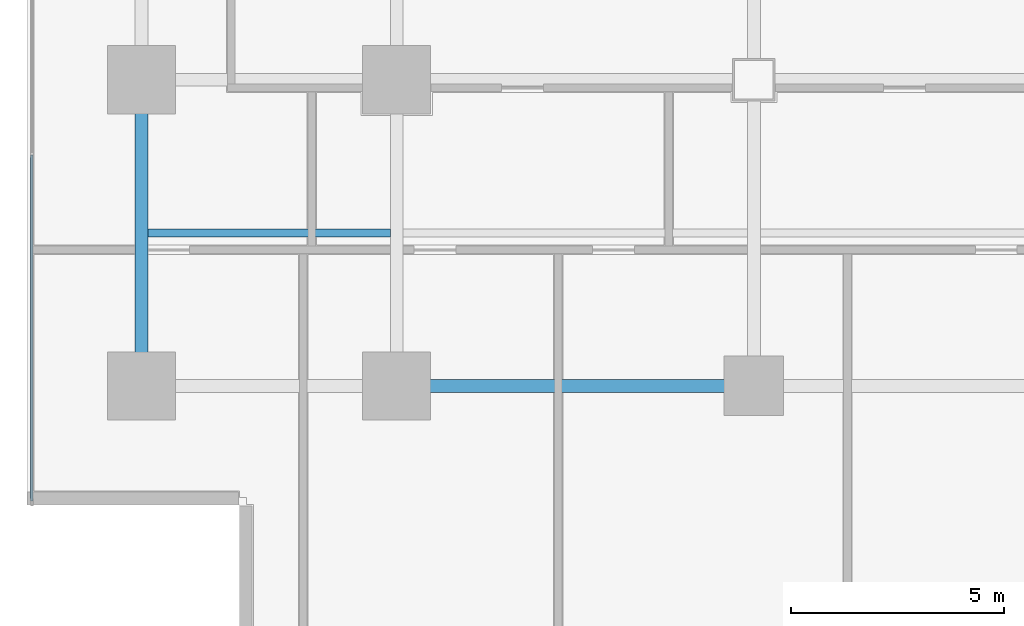
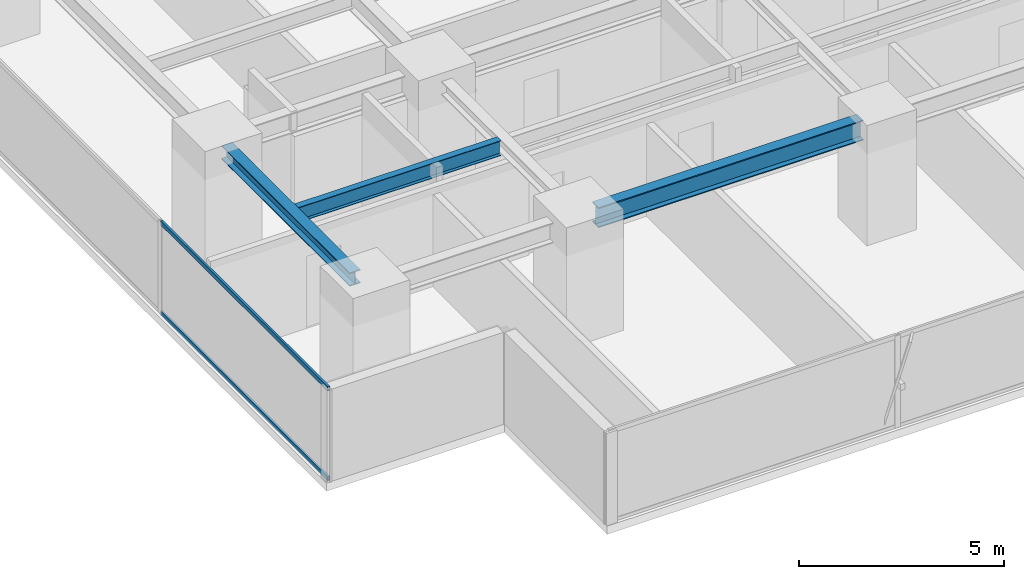
# One storey, part 3 of 36: 3 beams, 2 members, 1 element without a shape of its own.
"""IFC4 building model written with IfcOpenShell, lengths in metres."""

import ifcopenshell
import ifcopenshell.guid

model = None  # the IFC model being written
_history = None  # IfcOwnerHistory: only IFC2X3 demands one
_inside = {}  # id of a spatial element -> (the spatial element, [elements in it])
_under = {}  # id of a project, library or spatial element -> (it, [spatial elements below it])
_declared = {}  # id of a project -> (the project, [libraries it declares])
_typed = {}  # id of a type object -> (the type object, [elements of that type])
_made_of = {}  # id of a material, layer set ... -> (it, [elements and type objects made of it])


def new_model(schema):
    """Start an empty IFC model of exactly this schema.

    Asked for "IFC4X3", IfcOpenShell would pick the latest addendum, in which some entities
    have other attributes; the version numbers below select the first issue.
    IFC2X3 requires an IfcOwnerHistory on every rooted entity: one is made here for all.
    """
    global model, _history
    if schema == "IFC4X3":
        model = ifcopenshell.file(schema_version=(4, 3, 0, 0))
    else:
        model = ifcopenshell.file(schema=schema)
    _inside.clear()
    _under.clear()
    _declared.clear()
    _typed.clear()
    _made_of.clear()
    _history = None
    if model.schema == "IFC2X3":
        org = make("IfcOrganization", Name="unknown")
        user = make(
            "IfcPersonAndOrganization",
            ThePerson=make("IfcPerson", FamilyName="unknown"),
            TheOrganization=org,
        )
        app = make(
            "IfcApplication",
            ApplicationDeveloper=org,
            Version="unknown",
            ApplicationFullName="unknown",
            ApplicationIdentifier="unknown",
        )
        _history = make(
            "IfcOwnerHistory",
            OwningUser=user,
            OwningApplication=app,
            ChangeAction="ADDED",
            CreationDate=0,
        )
    return model


def make(cls, **values):
    """One entity of the class cls with the attributes given. An attribute that is None is left unset."""
    return model.create_entity(
        cls, **{name: value for name, value in values.items() if value is not None}
    )


def rooted(cls, **values):
    """An entity with a GlobalId (a new one), such as an element, a storey or a relation."""
    return make(cls, GlobalId=ifcopenshell.guid.new(), OwnerHistory=_history, **values)


def si_unit(unit_type, name, prefix=None):
    """IfcSIUnit, for example si_unit("LENGTHUNIT", "METRE", prefix="MILLI")."""
    return make("IfcSIUnit", UnitType=unit_type, Prefix=prefix, Name=name)


def assignment(units):
    """IfcUnitAssignment: the units of a project."""
    return None if units is None else make("IfcUnitAssignment", Units=units)


def point(xyz):
    """IfcCartesianPoint."""
    return None if xyz is None else make("IfcCartesianPoint", Coordinates=xyz)


def direction(xyz):
    """IfcDirection."""
    return None if xyz is None else make("IfcDirection", DirectionRatios=xyz)


def frame(location, z_axis=None, x_axis=None):
    """IfcAxis2Placement3D, a coordinate frame: its origin and axes. An axis left out is left unset."""
    return make(
        "IfcAxis2Placement3D",
        Location=point(location),
        Axis=direction(z_axis),
        RefDirection=direction(x_axis),
    )


def frame_2d(location, x_axis=None):
    """IfcAxis2Placement2D, a coordinate frame in the plane: its origin and x axis."""
    return make(
        "IfcAxis2Placement2D", Location=point(location), RefDirection=direction(x_axis)
    )


def origin():
    """The frame at (0, 0, 0) with its axes left unset."""
    return frame((0.0, 0.0, 0.0))


def origin_2d():
    """The frame at (0, 0) in the plane with its x axis left unset."""
    return frame_2d((0.0, 0.0))


def place(relative_to, where):
    """IfcLocalPlacement: puts the frame where relative to a parent placement (None: the world)."""
    return make(
        "IfcLocalPlacement", PlacementRelTo=relative_to, RelativePlacement=where
    )


def context(
    kind, dimensions, precision=None, world=None, true_north=None, identifier=None
):
    """IfcGeometricRepresentationContext, for example the 3D "Model" context."""
    return make(
        "IfcGeometricRepresentationContext",
        ContextIdentifier=identifier,
        ContextType=kind,
        CoordinateSpaceDimension=dimensions,
        Precision=precision,
        WorldCoordinateSystem=world,
        TrueNorth=true_north,
    )


def subcontext(parent, identifier, kind, view, scale=None):
    """IfcGeometricRepresentationSubContext, for example "Body" below "Model"."""
    return make(
        "IfcGeometricRepresentationSubContext",
        ContextIdentifier=identifier,
        ContextType=kind,
        ParentContext=parent,
        TargetScale=scale,
        TargetView=view,
    )


def project(units=None, contexts=None):
    """IfcProject with its units and contexts."""
    return rooted(
        "IfcProject",
        Name="project",
        RepresentationContexts=contexts,
        UnitsInContext=assignment(units),
    )


def spatial(cls, under=None, at=None, **own):
    """A site, building, storey or space (cls), placed at a placement, below another one or the project."""
    s = rooted(cls, ObjectPlacement=at, **own)
    if under is not None:
        _under.setdefault(under.id(), (under, []))[1].append(s)
    return s


def profile(cls, at=None, kind="AREA", **sizes):
    """A parametric profile (cls). Its sizes go by their IFC names, for example OverallWidth=200.0."""
    return make(cls, ProfileType=kind, Position=at, **sizes)


def hollow_rectangle(**sizes):
    """IfcRectangleHollowProfileDef."""
    return profile("IfcRectangleHollowProfileDef", **sizes)


def i_section(**sizes):
    """IfcIShapeProfileDef."""
    return profile("IfcIShapeProfileDef", **sizes)


def extrude(swept, where, along, depth):
    """IfcExtrudedAreaSolid: the profile swept, set in the frame where, extruded along a direction by depth."""
    return make(
        "IfcExtrudedAreaSolid",
        SweptArea=swept,
        Position=where,
        ExtrudedDirection=direction(along),
        Depth=depth,
    )


def shape(context_of_items, identifier, shape_type, items):
    """IfcShapeRepresentation: the items that make up one representation, for example the "Body"."""
    return make(
        "IfcShapeRepresentation",
        ContextOfItems=context_of_items,
        RepresentationIdentifier=identifier,
        RepresentationType=shape_type,
        Items=items,
    )


def source(mapping_origin, context_of_items, identifier, shape_type, items):
    """IfcRepresentationMap: a shape defined once, which mapped items show again and again."""
    return make(
        "IfcRepresentationMap",
        MappingOrigin=mapping_origin,
        MappedRepresentation=shape(context_of_items, identifier, shape_type, items),
    )


def transform(
    local_origin,
    x_axis=None,
    y_axis=None,
    z_axis=None,
    scale=None,
    scale2=None,
    scale3=None,
    uniform=True,
):
    """IfcCartesianTransformationOperator3D, or its non-uniform kind. x_axis, y_axis, z_axis: its Axis1, 2, 3."""
    if uniform:
        return make(
            "IfcCartesianTransformationOperator3D",
            Axis1=direction(x_axis),
            Axis2=direction(y_axis),
            LocalOrigin=point(local_origin),
            Scale=scale,
            Axis3=direction(z_axis),
        )
    return make(
        "IfcCartesianTransformationOperator3DnonUniform",
        Axis1=direction(x_axis),
        Axis2=direction(y_axis),
        LocalOrigin=point(local_origin),
        Scale=scale,
        Axis3=direction(z_axis),
        Scale2=scale2,
        Scale3=scale3,
    )


def mapped(mapping_source, mapping_target):
    """IfcMappedItem: shows the shape of a source again, moved by a transform."""
    return make(
        "IfcMappedItem", MappingSource=mapping_source, MappingTarget=mapping_target
    )


def material(Name=None, Category=None):
    """IfcMaterial."""
    return make("IfcMaterial", Name=Name, Category=Category)


def layer(
    of_material, thickness, ventilated=None, Name=None, Category=None, Priority=None
):
    """IfcMaterialLayer: one layer of a wall or slab, of a material (None: an air gap)."""
    return make(
        "IfcMaterialLayer",
        Material=of_material,
        LayerThickness=thickness,
        IsVentilated=ventilated,
        Name=Name,
        Category=Category,
        Priority=Priority,
    )


def layer_set(layers, Name=None):
    """IfcMaterialLayerSet."""
    return make("IfcMaterialLayerSet", MaterialLayers=layers, LayerSetName=Name)


def material_profile(
    of_material, cross_section, Name=None, Category=None, Priority=None
):
    """IfcMaterialProfile: a cross section and its material."""
    return make(
        "IfcMaterialProfile",
        Name=Name,
        Material=of_material,
        Profile=cross_section,
        Priority=Priority,
        Category=Category,
    )


def profile_set(profiles, Name=None, composite=None):
    """IfcMaterialProfileSet."""
    return make(
        "IfcMaterialProfileSet",
        Name=Name,
        MaterialProfiles=profiles,
        CompositeProfile=composite,
    )


def made_of(thing, what):
    """Note that an element or type object is made of a material, layer set ...; save() writes the relation."""
    if what is not None:
        _made_of.setdefault(what.id(), (what, []))[1].append(thing)
    return thing


def type_object(cls, material=None, **own):
    """A type object (cls), such as IfcWallType, which elements share."""
    return made_of(rooted(cls, **own), material)


def element(
    cls,
    number,
    at=None,
    inside=None,
    cuts=None,
    type_object=None,
    material=None,
    context=None,
    identifier="Body",
    shape_type=None,
    held_by="IfcProductDefinitionShape",
    body=None,
    shapes=None,
    **own,
):
    """One element of the class cls, such as IfcWall. Its Tag is "e" and its number.

    at: its placement. inside: the storey or other place that contains it. cuts: it is an
    opening in that element (IfcRelVoidsElement). A single representation is given by context,
    identifier, shape_type and body (its items); several are given by shapes. held_by: the class
    of the entity that holds the representations. save() writes the other relations.
    """
    e = rooted(cls, Tag="e%d" % number, ObjectPlacement=at, **own)
    if body is not None:
        shapes = [shape(context, identifier, shape_type, body)]
    if shapes is not None:
        e.Representation = make(held_by, Representations=shapes)
    if inside is not None:
        _inside.setdefault(inside.id(), (inside, []))[1].append(e)
    if cuts is not None:
        rooted(
            "IfcRelVoidsElement", RelatingBuildingElement=cuts, RelatedOpeningElement=e
        )
    if type_object is not None:
        _typed.setdefault(type_object.id(), (type_object, []))[1].append(e)
    return made_of(e, material)


def aggregate(whole, parts):
    """IfcRelAggregates: a whole, such as a stair, and the parts it consists of."""
    return rooted("IfcRelAggregates", RelatingObject=whole, RelatedObjects=parts)


def save(model, path):
    """Write the relations noted so far, then the file.

    IfcRelAggregates (storeys below a building ...), IfcRelContainedInSpatialStructure (elements
    in a storey), IfcRelDefinesByType, IfcRelAssociatesMaterial and IfcRelDeclares: one each for
    every whole, place, type object, material and project.
    """
    for whole, parts in _under.values():
        aggregate(whole, parts)
    for where, things in _inside.values():
        rooted(
            "IfcRelContainedInSpatialStructure",
            RelatedElements=things,
            RelatingStructure=where,
        )
    for kind, things in _typed.values():
        rooted("IfcRelDefinesByType", RelatedObjects=things, RelatingType=kind)
    for what, things in _made_of.values():
        rooted("IfcRelAssociatesMaterial", RelatedObjects=things, RelatingMaterial=what)
    for by, libraries in _declared.values():
        rooted("IfcRelDeclares", RelatingContext=by, RelatedDefinitions=libraries)
    model.write(path)


model = new_model("IFC4")

# Units and contexts
model_context = context("Model", 3, precision=1e-05, world=origin(), true_north=direction((0.0, 1.0)))
body_context = subcontext(model_context, "Body", "Model", "MODEL_VIEW")
ifc_project = project(units=[si_unit("LENGTHUNIT", "METRE"), si_unit("AREAUNIT", "SQUARE_METRE"), si_unit("VOLUMEUNIT", "CUBIC_METRE"), si_unit("PLANEANGLEUNIT", "RADIAN"), si_unit("MASSUNIT", "GRAM", prefix="KILO")], contexts=[model_context])

# Site, building, storey
site_placement = place(None, origin())
site = spatial("IfcSite", under=ifc_project, at=site_placement, CompositionType="ELEMENT")
building_placement = place(site_placement, origin())
building = spatial("IfcBuilding", under=site, at=building_placement, Name="Sumidabori Civic Tower", CompositionType="ELEMENT")
storey_placement = place(building_placement, frame((0.0, 0.0, 113.60009765625)))
storey = spatial("IfcBuildingStorey", under=building, at=storey_placement, Name="L29", CompositionType="ELEMENT", Elevation=113.60009765625)

# Beams
ifc_material_1 = material(Name="Steel SN490", Category="steel")
ifc_material_profile_1 = material_profile(ifc_material_1, i_section(OverallWidth=0.300048828125, OverallDepth=0.60009765625, WebThickness=0.015380859375, FlangeThickness=0.030029296875, at=origin_2d()), Name="HE 600 B")
ifc_profile_set_1 = profile_set([ifc_material_profile_1], Name="Steel SN490")
beam_type_1 = type_object("IfcBeamType", Name="BM-GIRD-600", PredefinedType="BEAM", material=ifc_profile_set_1)
shared_shape_1 = source(origin(), body_context, "Body", "SweptSolid", [
    extrude(i_section(OverallWidth=0.300048828125, OverallDepth=0.60009765625, WebThickness=0.015380859375, FlangeThickness=0.030029296875, at=origin_2d()), origin(), (0.0, 0.0, 1.0), 7.440185546875),
])
beam_1_placement = place(storey_placement, frame((-16.320068359375, -18.0, 3.059814453125), z_axis=(1.0, 0.0, 0.0), x_axis=(0.0, 1.0, 0.0)))
element("IfcBeam", 1, at=beam_1_placement, inside=storey, type_object=beam_type_1, Name="Primary Girder L29 GX-02", PredefinedType="BEAM", context=body_context, shape_type="MappedRepresentation", body=[
    mapped(shared_shape_1, transform((0.0, 0.0, 0.0), x_axis=(1.0, 0.0, 0.0), y_axis=(0.0, 1.0, 0.0), z_axis=(0.0, 0.0, 1.0), scale=1.0)),
])
ifc_material_profile_2 = material_profile(ifc_material_1, i_section(OverallWidth=0.300048828125, OverallDepth=0.39990234375, WebThickness=0.013427734375, FlangeThickness=0.02392578125, at=origin_2d()), Name="HE 400 B")
ifc_profile_set_2 = profile_set([ifc_material_profile_2], Name="Steel SN490")
beam_type_2 = type_object("IfcBeamType", Name="BM-GIRD-400", PredefinedType="BEAM", material=ifc_profile_set_2)
shared_shape_2 = source(origin(), body_context, "Body", "SweptSolid", [
    extrude(i_section(OverallWidth=0.300048828125, OverallDepth=0.39990234375, WebThickness=0.013427734375, FlangeThickness=0.02392578125, at=origin_2d()), origin(), (0.0, 0.0, 1.0), 6.239990234375),
])
beam_2_placement = place(storey_placement, frame((-22.800048828125, -17.52001953125, 3.159912109375), z_axis=(0.0, 1.0, 0.0), x_axis=(-1.0, 0.0, 0.0)))
element("IfcBeam", 2, at=beam_2_placement, inside=storey, type_object=beam_type_2, Name="Primary Girder L29 GY-21", PredefinedType="BEAM", context=body_context, shape_type="MappedRepresentation", body=[
    mapped(shared_shape_2, transform((0.0, 0.0, 0.0), x_axis=(1.0, 0.0, 0.0), y_axis=(0.0, 1.0, 0.0), z_axis=(0.0, 0.0, 1.0), scale=1.0)),
])
ifc_material_profile_3 = material_profile(ifc_material_1, i_section(OverallWidth=0.18994140625, OverallDepth=0.449951171875, WebThickness=0.009521484375, FlangeThickness=0.0146484375, at=origin_2d()), Name="IPE 450")
ifc_profile_set_3 = profile_set([ifc_material_profile_3], Name="Steel SN490")
beam_type_3 = type_object("IfcBeamType", Name="BM-JST-450", PredefinedType="JOIST", material=ifc_profile_set_3)
shared_shape_3 = source(origin(), body_context, "Body", "SweptSolid", [
    extrude(i_section(OverallWidth=0.18994140625, OverallDepth=0.449951171875, WebThickness=0.009521484375, FlangeThickness=0.0146484375, at=origin_2d()), origin(), (0.0, 0.0, 1.0), 5.699951171875),
])
beam_3_placement = place(storey_placement, frame((-22.64990234375, -14.39990234375, 3.135009765625), z_axis=(1.0, 0.0, 0.0), x_axis=(0.0, 1.0, 0.0)))
element("IfcBeam", 3, at=beam_3_placement, inside=storey, type_object=beam_type_3, Name="Outer Bay Floor Joist L29 JSTO-51", PredefinedType="JOIST", context=body_context, shape_type="MappedRepresentation", body=[
    mapped(shared_shape_3, transform((0.0, 0.0, 0.0), x_axis=(1.0, 0.0, 0.0), y_axis=(0.0, 1.0, 0.0), z_axis=(0.0, 0.0, 1.0), scale=1.0)),
])

# Curtain wall, members
ifc_material_2 = material(Name="Anodised Bronze Aluminium AW-6063-T6", Category="aluminium")
ifc_layer = layer(ifc_material_2, 0.179931640625, Name="Anodised Bronze Aluminium AW-6063-T6")
ifc_layer_set = layer_set([ifc_layer], Name="Anodised Bronze Aluminium AW-6063-T6")
curtain_wall_type = type_object("IfcCurtainWallType", Name="CW-SYS-3", PredefinedType="NOTDEFINED", material=ifc_layer_set)
curtain_wall_placement = place(storey_placement, origin())
curtain_wall = element("IfcCurtainWall", 4, at=curtain_wall_placement, inside=storey, type_object=curtain_wall_type, Name="Curtain Wall CW:L29:R10", PredefinedType="NOTDEFINED")
ifc_material_profile_4 = material_profile(ifc_material_2, hollow_rectangle(XDim=0.06005859375, YDim=0.1298828125, WallThickness=0.0048828125, at=origin_2d()), Name="ALU TRANSOM 130x60")
ifc_profile_set_4 = profile_set([ifc_material_profile_4], Name="Anodised Bronze Aluminium AW-6063-T6")
member_type = type_object("IfcMemberType", Name="CW-TRN-130", PredefinedType="USERDEFINED", material=ifc_profile_set_4)
shared_shape_4 = source(origin(), body_context, "Body", "SweptSolid", [
    extrude(hollow_rectangle(XDim=0.06005859375, YDim=0.1298828125, WallThickness=0.0048828125, at=origin_2d()), origin(), (0.0, 0.0, 1.0), 8.130615234375),
])
member_1_placement = place(storey_placement, frame((-25.3798828125, -12.574462890625, 0.02978515625), z_axis=(0.0, -1.0, 0.0), x_axis=(1.0, 0.0, 0.0)))
member_1 = element("IfcMember", 5, at=member_1_placement, type_object=member_type, Name="CW-3 transom 5.1", ObjectType="TRANSOM", PredefinedType="USERDEFINED", context=body_context, shape_type="MappedRepresentation", body=[
    mapped(shared_shape_4, transform((0.0, 0.0, 0.0), x_axis=(1.0, 0.0, 0.0), y_axis=(0.0, 1.0, 0.0), z_axis=(0.0, 0.0, 1.0), scale=1.0)),
])
member_2_placement = place(storey_placement, frame((-25.3798828125, -12.574462890625, 2.7099609375), z_axis=(0.0, -1.0, 0.0), x_axis=(1.0, 0.0, 0.0)))
member_2 = element("IfcMember", 6, at=member_2_placement, type_object=member_type, Name="CW-3 transom 5.2", ObjectType="TRANSOM", PredefinedType="USERDEFINED", context=body_context, shape_type="MappedRepresentation", body=[
    mapped(shared_shape_4, transform((0.0, 0.0, 0.0), x_axis=(1.0, 0.0, 0.0), y_axis=(0.0, 1.0, 0.0), z_axis=(0.0, 0.0, 1.0), scale=1.0)),
])
aggregate(curtain_wall, [member_1, member_2])

save(model, "model.ifc")
